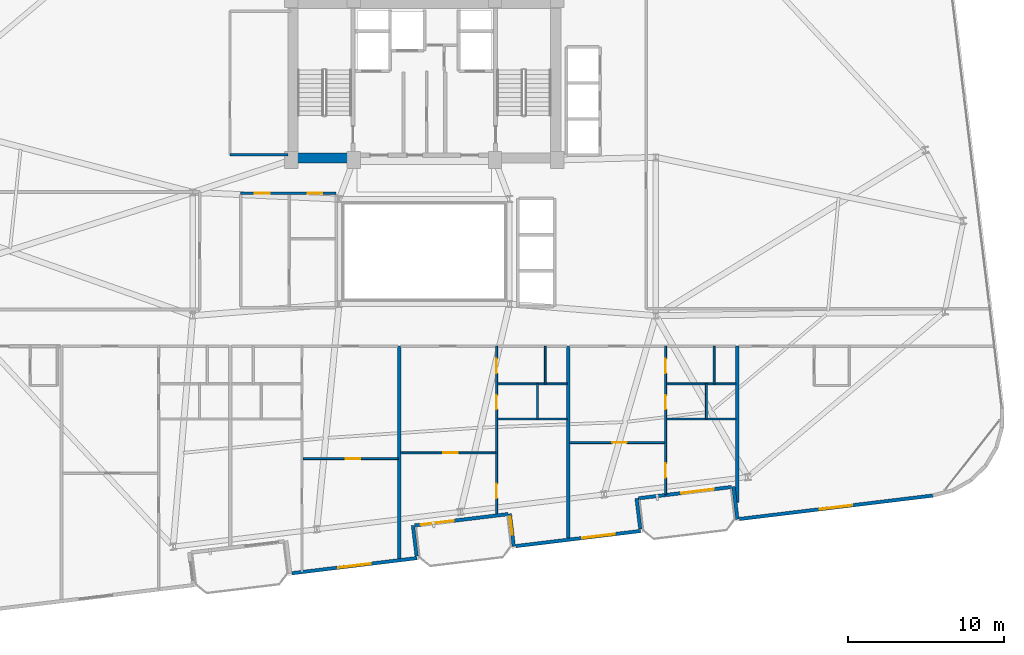
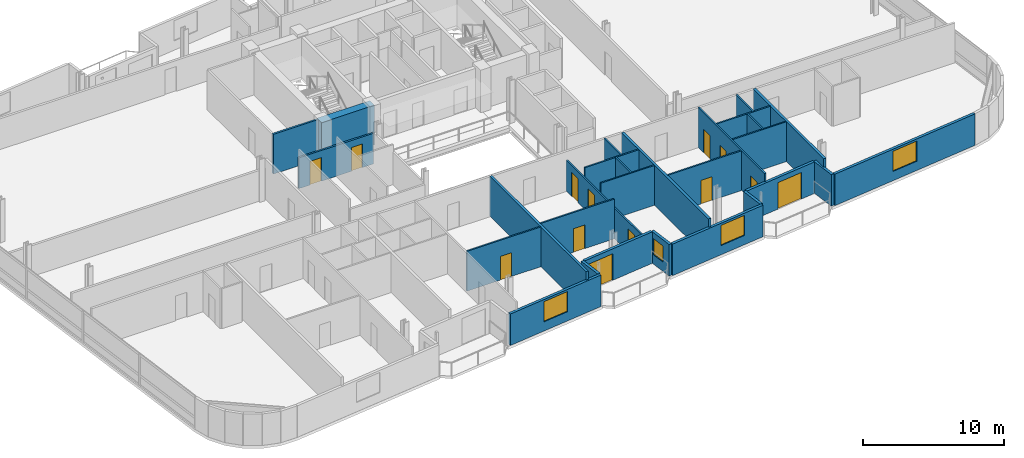
# One storey, part 16 of 24: 28 walls, 13 doors, 4 windows, 17 openings.
"""IFC4 building model written with IfcOpenShell, lengths in metres."""

from ifc_helpers import new_model, si_unit, direction, frame, frame_2d, origin, place, context, subcontext, project, spatial, rectangle, extrude, material, layer, layer_set, type_object, element, fill, save


model = new_model("IFC4")

# Units and contexts
model_context = context("Model", 3, precision=1e-05, world=origin(), true_north=direction((0.0, 1.0)))
body_context = subcontext(model_context, "Body", "Model", "MODEL_VIEW")
ifc_project = project(units=[si_unit("LENGTHUNIT", "METRE"), si_unit("AREAUNIT", "SQUARE_METRE"), si_unit("VOLUMEUNIT", "CUBIC_METRE"), si_unit("PLANEANGLEUNIT", "RADIAN"), si_unit("MASSUNIT", "GRAM", prefix="KILO")], contexts=[model_context])

# Site, building, storey
site_placement = place(None, origin())
site = spatial("IfcSite", under=ifc_project, at=site_placement, CompositionType="ELEMENT")
building_placement = place(site_placement, origin())
building = spatial("IfcBuilding", under=site, at=building_placement, Name="Varnelok Gate Tower", CompositionType="ELEMENT")
storey_placement = place(building_placement, frame((0.0, 0.0, 167.199951171875)))
storey = spatial("IfcBuildingStorey", under=building, at=storey_placement, Name="L42", CompositionType="ELEMENT", Elevation=167.199951171875)

# Wall, opening, door
ifc_material_1 = material(Name="Concrete C45/55", Category="concrete")
ifc_layer_1 = layer(ifc_material_1, 0.219970703125)
ifc_layer_set_1 = layer_set([ifc_layer_1], Name="Concrete C45/55")
wall_type_1 = type_object("IfcWallType", Name="EW-BALC-220", PredefinedType="SOLIDWALL", material=ifc_layer_set_1)
wall_1_placement = place(storey_placement, frame((44.5478515625, 6.114013671875, 0.0), z_axis=(0.0, 0.0, 1.0), x_axis=(-0.992735402148, -0.120318000826, 0.0)))
wall_1 = element("IfcWall", 1, at=wall_1_placement, inside=storey, type_object=wall_type_1, Name="L42 South Terrace Envelope Wall 2", PredefinedType="SOLIDWALL", context=body_context, shape_type="SweptSolid", body=[
    extrude(rectangle(XDim=6.000244140625, YDim=0.219970703125, at=frame_2d((3.0, 0.0))), origin(), (0.0, 0.0, 1.0), 2.72998046875),
])
opening_1_placement = place(wall_1_placement, frame((3.5, 0.0, 0.0)))
opening_1 = element("IfcOpeningElement", 2, at=opening_1_placement, cuts=wall_1, Name="Opening BD-2", PredefinedType="OPENING", context=body_context, shape_type="SweptSolid", body=[
    extrude(rectangle(XDim=2.10009765625, YDim=2.300048828125, at=frame_2d((1.050048828125, 1.14990234375))), frame((0.0, 0.119873046875, 0.0), z_axis=(0.0, -1.0, 0.0), x_axis=(1.0, 0.0, 0.0)), (0.0, 0.0, 1.0), 0.239990234375),
])
ifc_material_2 = material(Name="Anodized Aluminum Alloy 6063-T6", Category="aluminium")
door_type_1 = type_object("IfcDoorType", Name="DR-EXT-SLID2100", OperationType="SLIDING_TO_LEFT", PredefinedType="DOOR", material=ifc_material_2)
door_1_placement = place(opening_1_placement, origin())
door_1 = element("IfcDoor", 3, at=door_1_placement, inside=storey, type_object=door_type_1, Name="L42 South Balcony Glazed Door 2", OperationType="SLIDING_TO_LEFT", OverallHeight=2.300048828125, OverallWidth=2.10009765625, PredefinedType="DOOR", context=body_context, shape_type="SweptSolid", body=[
    extrude(rectangle(XDim=2.10009765625, YDim=2.300048828125, at=frame_2d((1.050048828125, 1.14990234375))), frame((0.0, 0.02490234375, 0.0), z_axis=(0.0, -1.0, 0.0), x_axis=(1.0, 0.0, 0.0)), (0.0, 0.0, 1.0), 0.050048828125),
])
fill(opening_1, door_1)

wall_2_placement = place(storey_placement, frame((58.843017578125, 7.84716796875, 0.0), z_axis=(0.0, 0.0, 1.0), x_axis=(-0.992729951822, -0.120362962556, 0.0)))
wall_2 = element("IfcWall", 4, at=wall_2_placement, inside=storey, type_object=wall_type_1, Name="L42 South Terrace Envelope Wall 3", PredefinedType="SOLIDWALL", context=body_context, shape_type="SweptSolid", body=[
    extrude(rectangle(XDim=6.0, YDim=0.219970703125, at=frame_2d((3.0, 0.0))), origin(), (0.0, 0.0, 1.0), 2.72998046875),
])
opening_2_placement = place(wall_2_placement, frame((1.14404296875, 0.0, 0.0)))
opening_2 = element("IfcOpeningElement", 5, at=opening_2_placement, cuts=wall_2, Name="Opening BD-2", PredefinedType="OPENING", context=body_context, shape_type="SweptSolid", body=[
    extrude(rectangle(XDim=2.10009765625, YDim=2.300048828125, at=frame_2d((1.050048828125, 1.14990234375))), frame((0.0, 0.119873046875, 0.0), z_axis=(0.0, -1.0, 0.0), x_axis=(1.0, 0.0, 0.0)), (0.0, 0.0, 1.0), 0.239990234375),
])
door_2_placement = place(opening_2_placement, origin())
door_2 = element("IfcDoor", 6, at=door_2_placement, inside=storey, type_object=door_type_1, Name="L42 South Balcony Glazed Door 3", OperationType="SLIDING_TO_LEFT", OverallHeight=2.300048828125, OverallWidth=2.10009765625, PredefinedType="DOOR", context=body_context, shape_type="SweptSolid", body=[
    extrude(rectangle(XDim=2.10009765625, YDim=2.300048828125, at=frame_2d((1.050048828125, 1.14990234375))), frame((0.0, 0.02490234375, 0.0), z_axis=(0.0, -1.0, 0.0), x_axis=(1.0, 0.0, 0.0)), (0.0, 0.0, 1.0), 0.050048828125),
])
fill(opening_2, door_2)

# Wall, opening, window
wall_3_placement = place(storey_placement, frame((30.747314453125, 2.335693359375, 0.0), z_axis=(0.0, 0.0, 1.0), x_axis=(0.992731032022, 0.120354052946, 0.0)))
wall_3 = element("IfcWall", 7, at=wall_3_placement, inside=storey, type_object=wall_type_1, Name="L42 Perimeter Facade Closure Wall 10", PredefinedType="SOLIDWALL", context=body_context, shape_type="SweptSolid", body=[
    extrude(rectangle(XDim=8.034912109375, YDim=0.219970703125, at=frame_2d((4.017578125, 0.0))), origin(), (0.0, 0.0, 1.0), 2.72998046875),
])
opening_3_placement = place(wall_3_placement, frame((2.967529296875, 0.0, 0.800048828125)))
opening_3 = element("IfcOpeningElement", 8, at=opening_3_placement, cuts=wall_3, Name="Opening WN4", PredefinedType="OPENING", context=body_context, shape_type="SweptSolid", body=[
    extrude(rectangle(XDim=2.10009765625, YDim=1.75, at=frame_2d((1.050048828125, 0.875))), frame((0.0, 0.119873046875, 0.0), z_axis=(0.0, -1.0, 0.0), x_axis=(1.0, 0.0, 0.0)), (0.0, 0.0, 1.0), 0.239990234375),
])
ifc_material_3 = material(Name="Low-E Laminated Double Glazing IGU", Category="glass")
window_type_1 = type_object("IfcWindowType", Name="WN-SUI-2100", PartitioningType="SINGLE_PANEL", PredefinedType="WINDOW", material=ifc_material_3)
window_1_placement = place(opening_3_placement, origin())
window_1 = element("IfcWindow", 9, at=window_1_placement, inside=storey, type_object=window_type_1, Name="L42 Perimeter Vision Window 10", OverallHeight=1.75, OverallWidth=2.10009765625, PartitioningType="SINGLE_PANEL", PredefinedType="WINDOW", context=body_context, shape_type="SweptSolid", body=[
    extrude(rectangle(XDim=2.10009765625, YDim=1.75, at=frame_2d((1.050048828125, 0.875))), frame((0.0, 0.030029296875, 0.0), z_axis=(0.0, -1.0, 0.0), x_axis=(1.0, 0.0, 0.0)), (0.0, 0.0, 1.0), 0.06005859375),
])
fill(opening_3, window_1)

# Wall
wall_4_placement = place(storey_placement, frame((38.708740234375, 3.427001953125, 0.0), z_axis=(0.0, 0.0, 1.0), x_axis=(-0.120397815541, 0.992725725472, 0.0)))
element("IfcWall", 10, at=wall_4_placement, inside=storey, type_object=wall_type_1, Name="L42 Perimeter Facade Closure Wall 11", PredefinedType="SOLIDWALL", context=body_context, shape_type="SweptSolid", body=[
    extrude(rectangle(XDim=1.97509765625, YDim=0.219970703125, at=frame_2d((0.987548828125, 0.0))), origin(), (0.0, 0.0, 1.0), 2.72998046875),
])

# Wall, opening, window
wall_5_placement = place(storey_placement, frame((44.665771484375, 6.138427734375, 0.0), z_axis=(0.0, 0.0, 1.0), x_axis=(0.120327895535, -0.992734202874, 0.0)))
wall_5 = element("IfcWall", 11, at=wall_5_placement, inside=storey, type_object=wall_type_1, Name="L42 Perimeter Facade Closure Wall 12", PredefinedType="SOLIDWALL", context=body_context, shape_type="SweptSolid", body=[
    extrude(rectangle(XDim=2.099853515625, YDim=0.219970703125, at=frame_2d((1.0498046875, 0.0))), origin(), (0.0, 0.0, 1.0), 2.72998046875),
])
opening_4_placement = place(wall_5_placement, frame((0.199951171875, 0.0, 0.800048828125)))
opening_4 = element("IfcOpeningElement", 12, at=opening_4_placement, cuts=wall_5, Name="Opening WN8", PredefinedType="OPENING", context=body_context, shape_type="SweptSolid", body=[
    extrude(rectangle(XDim=1.14990234375, YDim=1.39990234375, at=frame_2d((0.574951171875, 0.699951171875))), frame((0.0, 0.119873046875, 0.0), z_axis=(0.0, -1.0, 0.0), x_axis=(1.0, 0.0, 0.0)), (0.0, 0.0, 1.0), 0.239990234375),
])
window_type_2 = type_object("IfcWindowType", Name="WN-BED-1150", PartitioningType="SINGLE_PANEL", PredefinedType="WINDOW", material=ifc_material_3)
window_2_placement = place(opening_4_placement, origin())
window_2 = element("IfcWindow", 13, at=window_2_placement, inside=storey, type_object=window_type_2, Name="L42 Bedroom Vision Window 20", OverallHeight=1.39990234375, OverallWidth=1.14990234375, PartitioningType="SINGLE_PANEL", PredefinedType="WINDOW", context=body_context, shape_type="SweptSolid", body=[
    extrude(rectangle(XDim=1.14990234375, YDim=1.39990234375, at=frame_2d((0.574951171875, 0.699951171875))), frame((0.0, 0.030029296875, 0.0), z_axis=(0.0, -1.0, 0.0), x_axis=(1.0, 0.0, 0.0)), (0.0, 0.0, 1.0), 0.06005859375),
])
fill(opening_4, window_2)

wall_6_placement = place(storey_placement, frame((45.04248046875, 4.06884765625, 0.0), z_axis=(0.0, 0.0, 1.0), x_axis=(0.992731032022, 0.120354052946, 0.0)))
wall_6 = element("IfcWall", 14, at=wall_6_placement, inside=storey, type_object=wall_type_1, Name="L42 Perimeter Facade Closure Wall 13", PredefinedType="SOLIDWALL", context=body_context, shape_type="SweptSolid", body=[
    extrude(rectangle(XDim=8.034912109375, YDim=0.219970703125, at=frame_2d((4.017578125, 0.0))), origin(), (0.0, 0.0, 1.0), 2.72998046875),
])
opening_5_placement = place(wall_6_placement, frame((4.273193359375, 0.0, 0.800048828125)))
opening_5 = element("IfcOpeningElement", 15, at=opening_5_placement, cuts=wall_6, Name="Opening WN4", PredefinedType="OPENING", context=body_context, shape_type="SweptSolid", body=[
    extrude(rectangle(XDim=2.10009765625, YDim=1.75, at=frame_2d((1.050048828125, 0.875))), frame((0.0, 0.119873046875, 0.0), z_axis=(0.0, -1.0, 0.0), x_axis=(1.0, 0.0, 0.0)), (0.0, 0.0, 1.0), 0.239990234375),
])
window_3_placement = place(opening_5_placement, origin())
window_3 = element("IfcWindow", 16, at=window_3_placement, inside=storey, type_object=window_type_1, Name="L42 Perimeter Vision Window 13", OverallHeight=1.75, OverallWidth=2.10009765625, PartitioningType="SINGLE_PANEL", PredefinedType="WINDOW", context=body_context, shape_type="SweptSolid", body=[
    extrude(rectangle(XDim=2.10009765625, YDim=1.75, at=frame_2d((1.050048828125, 0.875))), frame((0.0, 0.030029296875, 0.0), z_axis=(0.0, -1.0, 0.0), x_axis=(1.0, 0.0, 0.0)), (0.0, 0.0, 1.0), 0.06005859375),
])
fill(opening_5, window_3)

# Walls
wall_7_placement = place(storey_placement, frame((53.004150390625, 5.159912109375, 0.0), z_axis=(0.0, 0.0, 1.0), x_axis=(-0.120397815541, 0.992725725472, 0.0)))
element("IfcWall", 17, at=wall_7_placement, inside=storey, type_object=wall_type_1, Name="L42 Perimeter Facade Closure Wall 14", PredefinedType="SOLIDWALL", context=body_context, shape_type="SweptSolid", body=[
    extrude(rectangle(XDim=1.97509765625, YDim=0.219970703125, at=frame_2d((0.987548828125, 0.0))), origin(), (0.0, 0.0, 1.0), 2.72998046875),
])
wall_8_placement = place(storey_placement, frame((58.961181640625, 7.87158203125, 0.0), z_axis=(0.0, 0.0, 1.0), x_axis=(0.120327895535, -0.992734202874, 0.0)))
element("IfcWall", 18, at=wall_8_placement, inside=storey, type_object=wall_type_1, Name="L42 Perimeter Facade Closure Wall 15", PredefinedType="SOLIDWALL", context=body_context, shape_type="SweptSolid", body=[
    extrude(rectangle(XDim=2.099853515625, YDim=0.219970703125, at=frame_2d((1.0498046875, 0.0))), origin(), (0.0, 0.0, 1.0), 2.72998046875),
])

# Wall, opening, window
wall_9_placement = place(storey_placement, frame((59.337890625, 5.8017578125, 0.0), z_axis=(0.0, 0.0, 1.0), x_axis=(0.992731225757, 0.120352454927, 0.0)))
wall_9 = element("IfcWall", 19, at=wall_9_placement, inside=storey, type_object=wall_type_1, Name="L42 Perimeter Facade Closure Wall 16", PredefinedType="SOLIDWALL", context=body_context, shape_type="SweptSolid", body=[
    extrude(rectangle(XDim=12.447265625, YDim=0.219970703125, at=frame_2d((6.2236328125, 0.0))), origin(), (0.0, 0.0, 1.0), 2.72998046875),
])
opening_6_placement = place(wall_9_placement, frame((5.173583984375, 0.0, 0.800048828125)))
opening_6 = element("IfcOpeningElement", 20, at=opening_6_placement, cuts=wall_9, Name="Opening WN4", PredefinedType="OPENING", context=body_context, shape_type="SweptSolid", body=[
    extrude(rectangle(XDim=2.10009765625, YDim=1.75, at=frame_2d((1.050048828125, 0.875))), frame((0.0, 0.119873046875, 0.0), z_axis=(0.0, -1.0, 0.0), x_axis=(1.0, 0.0, 0.0)), (0.0, 0.0, 1.0), 0.239990234375),
])
window_4_placement = place(opening_6_placement, origin())
window_4 = element("IfcWindow", 21, at=window_4_placement, inside=storey, type_object=window_type_1, Name="L42 Perimeter Vision Window 16", OverallHeight=1.75, OverallWidth=2.10009765625, PartitioningType="SINGLE_PANEL", PredefinedType="WINDOW", context=body_context, shape_type="SweptSolid", body=[
    extrude(rectangle(XDim=2.10009765625, YDim=1.75, at=frame_2d((1.050048828125, 0.875))), frame((0.0, 0.030029296875, 0.0), z_axis=(0.0, -1.0, 0.0), x_axis=(1.0, 0.0, 0.0)), (0.0, 0.0, 1.0), 0.06005859375),
])
fill(opening_6, window_4)

# Walls
ifc_material_4 = material(Name="Gypsum Plasterboard Acoustic Partition", Category="gypsum")
ifc_layer_2 = layer(ifc_material_4, 0.114990234375)
ifc_layer_set_2 = layer_set([ifc_layer_2], Name="Gypsum Plasterboard Acoustic Partition")
wall_type_2 = type_object("IfcWallType", Name="PW-ENS-125", PredefinedType="PARTITIONING", material=ifc_layer_set_2)
wall_10_placement = place(storey_placement, frame((43.88916015625, 12.199951171875, 0.0), z_axis=(0.0, 0.0, 1.0), x_axis=(1.0, 0.0, 0.0)))
element("IfcWall", 22, at=wall_10_placement, inside=storey, type_object=wall_type_2, Name="Interior Partition", PredefinedType="PARTITIONING", context=body_context, shape_type="SweptSolid", body=[
    extrude(rectangle(XDim=4.430908203125, YDim=0.114990234375, at=frame_2d((2.21533203125, 0.0))), origin(), (0.0, 0.0, 1.0), 3.449951171875),
])
wall_11_placement = place(storey_placement, frame((46.42919921875, 12.199951171875, 0.0), z_axis=(0.0, 0.0, 1.0), x_axis=(0.0, 1.0, 0.0)))
element("IfcWall", 23, at=wall_11_placement, inside=storey, type_object=wall_type_2, Name="Interior Partition", PredefinedType="PARTITIONING", context=body_context, shape_type="SweptSolid", body=[
    extrude(rectangle(XDim=2.239990234375, YDim=0.114990234375, at=frame_2d((1.1201171875, 0.0))), origin(), (0.0, 0.0, 1.0), 3.449951171875),
])
wall_12_placement = place(storey_placement, frame((54.689208984375, 12.199951171875, 0.0), z_axis=(0.0, 0.0, 1.0), x_axis=(1.0, 0.0, 0.0)))
element("IfcWall", 24, at=wall_12_placement, inside=storey, type_object=wall_type_2, Name="Interior Partition", PredefinedType="PARTITIONING", context=body_context, shape_type="SweptSolid", body=[
    extrude(rectangle(XDim=4.430908203125, YDim=0.114990234375, at=frame_2d((2.21533203125, 0.0))), origin(), (0.0, 0.0, 1.0), 3.449951171875),
])
wall_13_placement = place(storey_placement, frame((57.229248046875, 12.199951171875, 0.0), z_axis=(0.0, 0.0, 1.0), x_axis=(0.0, 1.0, 0.0)))
element("IfcWall", 25, at=wall_13_placement, inside=storey, type_object=wall_type_2, Name="Interior Partition", PredefinedType="PARTITIONING", context=body_context, shape_type="SweptSolid", body=[
    extrude(rectangle(XDim=2.239990234375, YDim=0.114990234375, at=frame_2d((1.1201171875, 0.0))), origin(), (0.0, 0.0, 1.0), 3.449951171875),
])

# Wall, opening, door
ifc_layer_3 = layer(ifc_material_4, 0.125)
ifc_layer_set_3 = layer_set([ifc_layer_3], Name="Gypsum Plasterboard Acoustic Partition")
wall_type_3 = type_object("IfcWallType", Name="PW-PART-125", PredefinedType="PARTITIONING", material=ifc_layer_set_3)
wall_14_placement = place(storey_placement, frame((31.45068359375, 9.65576171875, 0.0), z_axis=(0.0, 0.0, 1.0), x_axis=(1.0, 0.0, 0.0)))
wall_14 = element("IfcWall", 26, at=wall_14_placement, inside=storey, type_object=wall_type_3, Name="Interior Partition", PredefinedType="PARTITIONING", context=body_context, shape_type="SweptSolid", body=[
    extrude(rectangle(XDim=6.0693359375, YDim=0.125, at=frame_2d((3.03466796875, 0.0))), origin(), (0.0, 0.0, 1.0), 3.449951171875),
])
opening_7_placement = place(wall_14_placement, frame((2.731201171875, 0.0, 0.0)))
opening_7 = element("IfcOpeningElement", 27, at=opening_7_placement, cuts=wall_14, Name="Opening D-I3", PredefinedType="OPENING", context=body_context, shape_type="SweptSolid", body=[
    extrude(rectangle(XDim=0.919921875, YDim=2.050048828125, at=frame_2d((0.4599609375, 1.02490234375))), frame((0.0, 0.072509765625, 0.0), z_axis=(0.0, -1.0, 0.0), x_axis=(1.0, 0.0, 0.0)), (0.0, 0.0, 1.0), 0.14501953125),
])
ifc_material_5 = material(Name="Engineered Hardwood Timber", Category="wood")
door_type_2 = type_object("IfcDoorType", Name="DR-INT-920", OperationType="NOTDEFINED", PredefinedType="DOOR", material=ifc_material_5)
door_3_placement = place(opening_7_placement, origin())
door_3 = element("IfcDoor", 28, at=door_3_placement, inside=storey, type_object=door_type_2, Name="L42 Apartment 3 Study Door", OperationType="SINGLE_SWING_LEFT", OverallHeight=2.050048828125, OverallWidth=0.919921875, PredefinedType="DOOR", context=body_context, shape_type="SweptSolid", body=[
    extrude(rectangle(XDim=0.919921875, YDim=2.050048828125, at=frame_2d((0.4599609375, 1.02490234375))), frame((0.0, 0.02490234375, 0.0), z_axis=(0.0, -1.0, 0.0), x_axis=(1.0, 0.0, 0.0)), (0.0, 0.0, 1.0), 0.050048828125),
])
fill(opening_7, door_3)

wall_15_placement = place(storey_placement, frame((37.679931640625, 10.033203125, 0.0), z_axis=(0.0, 0.0, 1.0), x_axis=(1.0, 0.0, 0.0)))
wall_15 = element("IfcWall", 29, at=wall_15_placement, inside=storey, type_object=wall_type_3, Name="Interior Partition", PredefinedType="PARTITIONING", context=body_context, shape_type="SweptSolid", body=[
    extrude(rectangle(XDim=6.0693359375, YDim=0.125, at=frame_2d((3.03466796875, 0.0))), origin(), (0.0, 0.0, 1.0), 3.449951171875),
])
opening_8_placement = place(wall_15_placement, frame((2.731201171875, 0.0, 0.0)))
opening_8 = element("IfcOpeningElement", 30, at=opening_8_placement, cuts=wall_15, Name="Opening D-I3", PredefinedType="OPENING", context=body_context, shape_type="SweptSolid", body=[
    extrude(rectangle(XDim=0.919921875, YDim=2.050048828125, at=frame_2d((0.4599609375, 1.02490234375))), frame((0.0, 0.072509765625, 0.0), z_axis=(0.0, -1.0, 0.0), x_axis=(1.0, 0.0, 0.0)), (0.0, 0.0, 1.0), 0.14501953125),
])
door_4_placement = place(opening_8_placement, origin())
door_4 = element("IfcDoor", 31, at=door_4_placement, inside=storey, type_object=door_type_2, Name="L42 Apartment 4 Study Door", OperationType="SINGLE_SWING_LEFT", OverallHeight=2.050048828125, OverallWidth=0.919921875, PredefinedType="DOOR", context=body_context, shape_type="SweptSolid", body=[
    extrude(rectangle(XDim=0.919921875, YDim=2.050048828125, at=frame_2d((0.4599609375, 1.02490234375))), frame((0.0, 0.02490234375, 0.0), z_axis=(0.0, -1.0, 0.0), x_axis=(1.0, 0.0, 0.0)), (0.0, 0.0, 1.0), 0.050048828125),
])
fill(opening_8, door_4)

# Wall, openings, doors
wall_16_placement = place(storey_placement, frame((43.819091796875, 6.055908203125, 0.0), z_axis=(0.0, 0.0, 1.0), x_axis=(0.0, 1.0, 0.0)))
wall_16 = element("IfcWall", 32, at=wall_16_placement, inside=storey, type_object=wall_type_3, Name="Interior Partition", PredefinedType="PARTITIONING", context=body_context, shape_type="SweptSolid", body=[
    extrude(rectangle(XDim=10.794189453125, YDim=0.125, at=frame_2d((5.39697265625, 0.0))), origin(), (0.0, 0.0, 1.0), 2.662109375),
])
opening_9_placement = place(wall_16_placement, frame((1.0830078125, 0.0, 0.0)))
opening_9 = element("IfcOpeningElement", 33, at=opening_9_placement, cuts=wall_16, Name="Opening D-I3", PredefinedType="OPENING", context=body_context, shape_type="SweptSolid", body=[
    extrude(rectangle(XDim=0.919921875, YDim=2.050048828125, at=frame_2d((0.4599609375, 1.02490234375))), frame((0.0, 0.072509765625, 0.0), z_axis=(0.0, -1.0, 0.0), x_axis=(1.0, 0.0, 0.0)), (0.0, 0.0, 1.0), 0.14501953125),
])
opening_10_placement = place(wall_16_placement, frame((6.771240234375, 0.0, 0.0)))
opening_10 = element("IfcOpeningElement", 34, at=opening_10_placement, cuts=wall_16, Name="Opening D-WC", PredefinedType="OPENING", context=body_context, shape_type="SweptSolid", body=[
    extrude(rectangle(XDim=0.89990234375, YDim=2.050048828125, at=frame_2d((0.449951171875, 1.02490234375))), frame((0.0, 0.072509765625, 0.0), z_axis=(0.0, -1.0, 0.0), x_axis=(1.0, 0.0, 0.0)), (0.0, 0.0, 1.0), 0.14501953125),
])
opening_11_placement = place(wall_16_placement, frame((9.06396484375, 0.0, 0.0)))
opening_11 = element("IfcOpeningElement", 35, at=opening_11_placement, cuts=wall_16, Name="Opening D-I3", PredefinedType="OPENING", context=body_context, shape_type="SweptSolid", body=[
    extrude(rectangle(XDim=0.919921875, YDim=2.050048828125, at=frame_2d((0.4599609375, 1.02490234375))), frame((0.0, 0.072509765625, 0.0), z_axis=(0.0, -1.0, 0.0), x_axis=(1.0, 0.0, 0.0)), (0.0, 0.0, 1.0), 0.14501953125),
])
door_type_3 = type_object("IfcDoorType", Name="DR-BATH-900", OperationType="NOTDEFINED", PredefinedType="DOOR", material=ifc_material_5)
door_5_placement = place(opening_10_placement, origin())
door_5 = element("IfcDoor", 36, at=door_5_placement, inside=storey, type_object=door_type_3, Name="L42 Apartment 4 Bathroom Door", OperationType="SINGLE_SWING_LEFT", OverallHeight=2.050048828125, OverallWidth=0.89990234375, PredefinedType="DOOR", context=body_context, shape_type="SweptSolid", body=[
    extrude(rectangle(XDim=0.89990234375, YDim=2.050048828125, at=frame_2d((0.449951171875, 1.02490234375))), frame((0.0, 0.02490234375, 0.0), z_axis=(0.0, -1.0, 0.0), x_axis=(1.0, 0.0, 0.0)), (0.0, 0.0, 1.0), 0.050048828125),
])
fill(opening_10, door_5)
door_6_placement = place(opening_9_placement, origin())
door_6 = element("IfcDoor", 37, at=door_6_placement, inside=storey, type_object=door_type_2, Name="L42 Apartment 4 Bedroom Door", OperationType="SINGLE_SWING_RIGHT", OverallHeight=2.050048828125, OverallWidth=0.919921875, PredefinedType="DOOR", context=body_context, shape_type="SweptSolid", body=[
    extrude(rectangle(XDim=0.919921875, YDim=2.050048828125, at=frame_2d((0.4599609375, 1.02490234375))), frame((0.0, 0.02490234375, 0.0), z_axis=(0.0, -1.0, 0.0), x_axis=(1.0, 0.0, 0.0)), (0.0, 0.0, 1.0), 0.050048828125),
])
fill(opening_9, door_6)
door_7_placement = place(opening_11_placement, origin())
door_7 = element("IfcDoor", 38, at=door_7_placement, inside=storey, type_object=door_type_2, Name="L42 Apartment 4 Kitchen Door", OperationType="SINGLE_SWING_RIGHT", OverallHeight=2.050048828125, OverallWidth=0.919921875, PredefinedType="DOOR", context=body_context, shape_type="SweptSolid", body=[
    extrude(rectangle(XDim=0.919921875, YDim=2.050048828125, at=frame_2d((0.4599609375, 1.02490234375))), frame((0.0, 0.02490234375, 0.0), z_axis=(0.0, -1.0, 0.0), x_axis=(1.0, 0.0, 0.0)), (0.0, 0.0, 1.0), 0.050048828125),
])
fill(opening_11, door_7)

# Walls
wall_17_placement = place(storey_placement, frame((43.88916015625, 14.43994140625, 0.0), z_axis=(0.0, 0.0, 1.0), x_axis=(1.0, 0.0, 0.0)))
element("IfcWall", 39, at=wall_17_placement, inside=storey, type_object=wall_type_3, Name="Interior Partition", PredefinedType="PARTITIONING", context=body_context, shape_type="SweptSolid", body=[
    extrude(rectangle(XDim=4.430908203125, YDim=0.125, at=frame_2d((2.21533203125, 0.0))), origin(), (0.0, 0.0, 1.0), 3.449951171875),
])
wall_18_placement = place(storey_placement, frame((46.92919921875, 14.43994140625, 0.0), z_axis=(0.0, 0.0, 1.0), x_axis=(0.0, 1.0, 0.0)))
element("IfcWall", 40, at=wall_18_placement, inside=storey, type_object=wall_type_3, Name="Interior Partition", PredefinedType="PARTITIONING", context=body_context, shape_type="SweptSolid", body=[
    extrude(rectangle(XDim=2.41015625, YDim=0.125, at=frame_2d((1.205078125, 0.0))), origin(), (0.0, 0.0, 1.0), 3.449951171875),
])

# Wall, opening, door
wall_19_placement = place(storey_placement, frame((48.47998046875, 10.68798828125, 0.0), z_axis=(0.0, 0.0, 1.0), x_axis=(1.0, 0.0, 0.0)))
wall_19 = element("IfcWall", 41, at=wall_19_placement, inside=storey, type_object=wall_type_3, Name="Interior Partition", PredefinedType="PARTITIONING", context=body_context, shape_type="SweptSolid", body=[
    extrude(rectangle(XDim=6.0693359375, YDim=0.125, at=frame_2d((3.03466796875, 0.0))), origin(), (0.0, 0.0, 1.0), 3.449951171875),
])
opening_12_placement = place(wall_19_placement, frame((2.731201171875, 0.0, 0.0)))
opening_12 = element("IfcOpeningElement", 42, at=opening_12_placement, cuts=wall_19, Name="Opening D-I3", PredefinedType="OPENING", context=body_context, shape_type="SweptSolid", body=[
    extrude(rectangle(XDim=0.919921875, YDim=2.050048828125, at=frame_2d((0.4599609375, 1.02490234375))), frame((0.0, 0.072509765625, 0.0), z_axis=(0.0, -1.0, 0.0), x_axis=(1.0, 0.0, 0.0)), (0.0, 0.0, 1.0), 0.14501953125),
])
door_8_placement = place(opening_12_placement, origin())
door_8 = element("IfcDoor", 43, at=door_8_placement, inside=storey, type_object=door_type_2, Name="L42 Apartment 5 Study Door", OperationType="SINGLE_SWING_LEFT", OverallHeight=2.050048828125, OverallWidth=0.919921875, PredefinedType="DOOR", context=body_context, shape_type="SweptSolid", body=[
    extrude(rectangle(XDim=0.919921875, YDim=2.050048828125, at=frame_2d((0.4599609375, 1.02490234375))), frame((0.0, 0.02490234375, 0.0), z_axis=(0.0, -1.0, 0.0), x_axis=(1.0, 0.0, 0.0)), (0.0, 0.0, 1.0), 0.050048828125),
])
fill(opening_12, door_8)

# Wall, openings, doors
wall_20_placement = place(storey_placement, frame((54.619140625, 7.365234375, 0.0), z_axis=(0.0, 0.0, 1.0), x_axis=(0.0, 1.0, 0.0)))
wall_20 = element("IfcWall", 44, at=wall_20_placement, inside=storey, type_object=wall_type_3, Name="Interior Partition", PredefinedType="PARTITIONING", context=body_context, shape_type="SweptSolid", body=[
    extrude(rectangle(XDim=9.48486328125, YDim=0.125, at=frame_2d((4.742431640625, 0.0))), origin(), (0.0, 0.0, 1.0), 3.449951171875),
])
opening_13_placement = place(wall_20_placement, frame((1.0654296875, 0.0, 0.0)))
opening_13 = element("IfcOpeningElement", 45, at=opening_13_placement, cuts=wall_20, Name="Opening D-I3", PredefinedType="OPENING", context=body_context, shape_type="SweptSolid", body=[
    extrude(rectangle(XDim=0.919921875, YDim=2.050048828125, at=frame_2d((0.4599609375, 1.02490234375))), frame((0.0, 0.072509765625, 0.0), z_axis=(0.0, -1.0, 0.0), x_axis=(1.0, 0.0, 0.0)), (0.0, 0.0, 1.0), 0.14501953125),
])
opening_14_placement = place(wall_20_placement, frame((5.462158203125, 0.0, 0.0)))
opening_14 = element("IfcOpeningElement", 46, at=opening_14_placement, cuts=wall_20, Name="Opening D-WC", PredefinedType="OPENING", context=body_context, shape_type="SweptSolid", body=[
    extrude(rectangle(XDim=0.89990234375, YDim=2.050048828125, at=frame_2d((0.449951171875, 1.02490234375))), frame((0.0, 0.072509765625, 0.0), z_axis=(0.0, -1.0, 0.0), x_axis=(1.0, 0.0, 0.0)), (0.0, 0.0, 1.0), 0.14501953125),
])
opening_15_placement = place(wall_20_placement, frame((7.7548828125, 0.0, 0.0)))
opening_15 = element("IfcOpeningElement", 47, at=opening_15_placement, cuts=wall_20, Name="Opening D-I3", PredefinedType="OPENING", context=body_context, shape_type="SweptSolid", body=[
    extrude(rectangle(XDim=0.919921875, YDim=2.050048828125, at=frame_2d((0.4599609375, 1.02490234375))), frame((0.0, 0.072509765625, 0.0), z_axis=(0.0, -1.0, 0.0), x_axis=(1.0, 0.0, 0.0)), (0.0, 0.0, 1.0), 0.14501953125),
])
door_9_placement = place(opening_14_placement, origin())
door_9 = element("IfcDoor", 48, at=door_9_placement, inside=storey, type_object=door_type_3, Name="L42 Apartment 5 Bathroom Door", OperationType="SINGLE_SWING_LEFT", OverallHeight=2.050048828125, OverallWidth=0.89990234375, PredefinedType="DOOR", context=body_context, shape_type="SweptSolid", body=[
    extrude(rectangle(XDim=0.89990234375, YDim=2.050048828125, at=frame_2d((0.449951171875, 1.02490234375))), frame((0.0, 0.02490234375, 0.0), z_axis=(0.0, -1.0, 0.0), x_axis=(1.0, 0.0, 0.0)), (0.0, 0.0, 1.0), 0.050048828125),
])
fill(opening_14, door_9)
door_10_placement = place(opening_13_placement, origin())
door_10 = element("IfcDoor", 49, at=door_10_placement, inside=storey, type_object=door_type_2, Name="L42 Apartment 5 Bedroom Door", OperationType="SINGLE_SWING_RIGHT", OverallHeight=2.050048828125, OverallWidth=0.919921875, PredefinedType="DOOR", context=body_context, shape_type="SweptSolid", body=[
    extrude(rectangle(XDim=0.919921875, YDim=2.050048828125, at=frame_2d((0.4599609375, 1.02490234375))), frame((0.0, 0.02490234375, 0.0), z_axis=(0.0, -1.0, 0.0), x_axis=(1.0, 0.0, 0.0)), (0.0, 0.0, 1.0), 0.050048828125),
])
fill(opening_13, door_10)
door_11_placement = place(opening_15_placement, origin())
door_11 = element("IfcDoor", 50, at=door_11_placement, inside=storey, type_object=door_type_2, Name="L42 Apartment 5 Kitchen Door", OperationType="SINGLE_SWING_RIGHT", OverallHeight=2.050048828125, OverallWidth=0.919921875, PredefinedType="DOOR", context=body_context, shape_type="SweptSolid", body=[
    extrude(rectangle(XDim=0.919921875, YDim=2.050048828125, at=frame_2d((0.4599609375, 1.02490234375))), frame((0.0, 0.02490234375, 0.0), z_axis=(0.0, -1.0, 0.0), x_axis=(1.0, 0.0, 0.0)), (0.0, 0.0, 1.0), 0.050048828125),
])
fill(opening_15, door_11)

# Walls
wall_21_placement = place(storey_placement, frame((54.689208984375, 14.43994140625, 0.0), z_axis=(0.0, 0.0, 1.0), x_axis=(1.0, 0.0, 0.0)))
element("IfcWall", 51, at=wall_21_placement, inside=storey, type_object=wall_type_3, Name="Interior Partition", PredefinedType="PARTITIONING", context=body_context, shape_type="SweptSolid", body=[
    extrude(rectangle(XDim=4.430908203125, YDim=0.125, at=frame_2d((2.21533203125, 0.0))), origin(), (0.0, 0.0, 1.0), 3.449951171875),
])
wall_22_placement = place(storey_placement, frame((57.729248046875, 14.43994140625, 0.0), z_axis=(0.0, 0.0, 1.0), x_axis=(0.0, 1.0, 0.0)))
element("IfcWall", 52, at=wall_22_placement, inside=storey, type_object=wall_type_3, Name="Interior Partition", PredefinedType="PARTITIONING", context=body_context, shape_type="SweptSolid", body=[
    extrude(rectangle(XDim=2.41015625, YDim=0.125, at=frame_2d((1.205078125, 0.0))), origin(), (0.0, 0.0, 1.0), 3.449951171875),
])

# Wall, openings, doors
ifc_layer_4 = layer(ifc_material_4, 0.14990234375)
ifc_layer_set_4 = layer_set([ifc_layer_4], Name="Gypsum Plasterboard Acoustic Partition")
wall_type_4 = type_object("IfcWallType", Name="PW-PART-150", PredefinedType="PARTITIONING", material=ifc_layer_set_4)
wall_23_placement = place(storey_placement, frame((27.4599609375, 26.6201171875, 0.0), z_axis=(0.0, 0.0, 1.0), x_axis=(1.0, 0.0, 0.0)))
wall_23 = element("IfcWall", 53, at=wall_23_placement, inside=storey, type_object=wall_type_4, Name="Interior Partition", PredefinedType="PARTITIONING", context=body_context, shape_type="SweptSolid", body=[
    extrude(rectangle(XDim=6.10009765625, YDim=0.14990234375, at=frame_2d((3.050048828125, 0.0))), origin(), (0.0, 0.0, 1.0), 2.662109375),
])
opening_16_placement = place(wall_23_placement, frame((0.89990234375, 0.0, 0.0)))
opening_16 = element("IfcOpeningElement", 54, at=opening_16_placement, cuts=wall_23, Name="Opening D-I2", PredefinedType="OPENING", context=body_context, shape_type="SweptSolid", body=[
    extrude(rectangle(XDim=0.949951171875, YDim=2.050048828125, at=frame_2d((0.47509765625, 1.02490234375))), frame((0.0, 0.0849609375, 0.0), z_axis=(0.0, -1.0, 0.0), x_axis=(1.0, 0.0, 0.0)), (0.0, 0.0, 1.0), 0.169921875),
])
opening_17_placement = place(wall_23_placement, frame((4.302978515625, 0.0, 0.0)))
opening_17 = element("IfcOpeningElement", 55, at=opening_17_placement, cuts=wall_23, Name="Opening D-WC", PredefinedType="OPENING", context=body_context, shape_type="SweptSolid", body=[
    extrude(rectangle(XDim=0.89990234375, YDim=2.050048828125, at=frame_2d((0.449951171875, 1.02490234375))), frame((0.0, 0.0849609375, 0.0), z_axis=(0.0, -1.0, 0.0), x_axis=(1.0, 0.0, 0.0)), (0.0, 0.0, 1.0), 0.169921875),
])
door_12_placement = place(opening_17_placement, origin())
door_12 = element("IfcDoor", 56, at=door_12_placement, inside=storey, type_object=door_type_3, Name="L42 Accessible Floor WC Door", OperationType="SINGLE_SWING_LEFT", OverallHeight=2.050048828125, OverallWidth=0.89990234375, PredefinedType="DOOR", context=body_context, shape_type="SweptSolid", body=[
    extrude(rectangle(XDim=0.89990234375, YDim=2.050048828125, at=frame_2d((0.449951171875, 1.02490234375))), frame((0.0, 0.02490234375, 0.0), z_axis=(0.0, -1.0, 0.0), x_axis=(1.0, 0.0, 0.0)), (0.0, 0.0, 1.0), 0.050048828125),
])
fill(opening_17, door_12)
door_type_4 = type_object("IfcDoorType", Name="DR-INT-950", OperationType="NOTDEFINED", PredefinedType="DOOR", material=ifc_material_5)
door_13_placement = place(opening_16_placement, origin())
door_13 = element("IfcDoor", 57, at=door_13_placement, inside=storey, type_object=door_type_4, Name="L42 Private Owners Horizon Club Door", OperationType="SINGLE_SWING_RIGHT", OverallHeight=2.050048828125, OverallWidth=0.949951171875, PredefinedType="DOOR", context=body_context, shape_type="SweptSolid", body=[
    extrude(rectangle(XDim=0.949951171875, YDim=2.050048828125, at=frame_2d((0.47509765625, 1.02490234375))), frame((0.0, 0.02490234375, 0.0), z_axis=(0.0, -1.0, 0.0), x_axis=(1.0, 0.0, 0.0)), (0.0, 0.0, 1.0), 0.050048828125),
])
fill(opening_16, door_13)

# Walls
wall_24_placement = place(storey_placement, frame((26.780029296875, 29.080078125, 0.0), z_axis=(0.0, 0.0, 1.0), x_axis=(1.0, 0.0, 0.0)))
element("IfcWall", 58, at=wall_24_placement, inside=storey, type_object=wall_type_4, Name="Interior Partition", PredefinedType="PARTITIONING", context=body_context, shape_type="SweptSolid", body=[
    extrude(rectangle(XDim=3.699951171875, YDim=0.14990234375, at=frame_2d((1.85009765625, 0.0))), origin(), (0.0, 0.0, 1.0), 3.449951171875),
])
ifc_layer_5 = layer(ifc_material_4, 0.205078125)
ifc_layer_set_5 = layer_set([ifc_layer_5], Name="Gypsum Plasterboard Acoustic Partition")
wall_type_5 = type_object("IfcWallType", Name="PW-PARTY-200", PredefinedType="PARTITIONING", material=ifc_layer_set_5)
wall_25_placement = place(storey_placement, frame((37.60009765625, 3.186767578125, 0.0), z_axis=(0.0, 0.0, 1.0), x_axis=(0.0, 1.0, 0.0)))
element("IfcWall", 59, at=wall_25_placement, inside=storey, type_object=wall_type_5, Name="L42 South Party Wall 3", PredefinedType="PARTITIONING", context=body_context, shape_type="SweptSolid", body=[
    extrude(rectangle(XDim=13.663330078125, YDim=0.205078125, at=frame_2d((6.83154296875, 0.0))), origin(), (0.0, 0.0, 1.0), 3.449951171875),
])
wall_26_placement = place(storey_placement, frame((48.39990234375, 4.49609375, 0.0), z_axis=(0.0, 0.0, 1.0), x_axis=(0.0, 1.0, 0.0)))
element("IfcWall", 60, at=wall_26_placement, inside=storey, type_object=wall_type_5, Name="L42 South Party Wall 4", PredefinedType="PARTITIONING", context=body_context, shape_type="SweptSolid", body=[
    extrude(rectangle(XDim=12.35400390625, YDim=0.205078125, at=frame_2d((6.177001953125, 0.0))), origin(), (0.0, 0.0, 1.0), 3.449951171875),
])
wall_27_placement = place(storey_placement, frame((59.199951171875, 6.856201171875, 0.0), z_axis=(0.0, 0.0, 1.0), x_axis=(0.0, 1.0, 0.0)))
element("IfcWall", 61, at=wall_27_placement, inside=storey, type_object=wall_type_5, Name="L42 South Party Wall 5", PredefinedType="PARTITIONING", context=body_context, shape_type="SweptSolid", body=[
    extrude(rectangle(XDim=9.993896484375, YDim=0.205078125, at=frame_2d((4.9970703125, 0.0))), origin(), (0.0, 0.0, 1.0), 3.449951171875),
])
ifc_material_6 = material(Name="Concrete C60/75", Category="concrete")
ifc_layer_6 = layer(ifc_material_6, 0.64990234375)
ifc_layer_set_6 = layer_set([ifc_layer_6], Name="Concrete C60/75")
wall_type_6 = type_object("IfcWallType", Name="SW-CORE-650", PredefinedType="SHEAR", material=ifc_layer_set_6)
wall_28_placement = place(storey_placement, frame((30.47998046875, 28.875, 0.0), z_axis=(0.0, 0.0, 1.0), x_axis=(1.0, 0.0, 0.0)))
element("IfcWall", 62, at=wall_28_placement, inside=storey, type_object=wall_type_6, Name="L42 Rear Core South-West Shear Wall", PredefinedType="SHEAR", context=body_context, shape_type="SweptSolid", body=[
    extrude(rectangle(XDim=4.320068359375, YDim=0.64990234375, at=frame_2d((2.16015625, 0.0))), origin(), (0.0, 0.0, 1.0), 3.449951171875),
])

save(model, "model.ifc")
